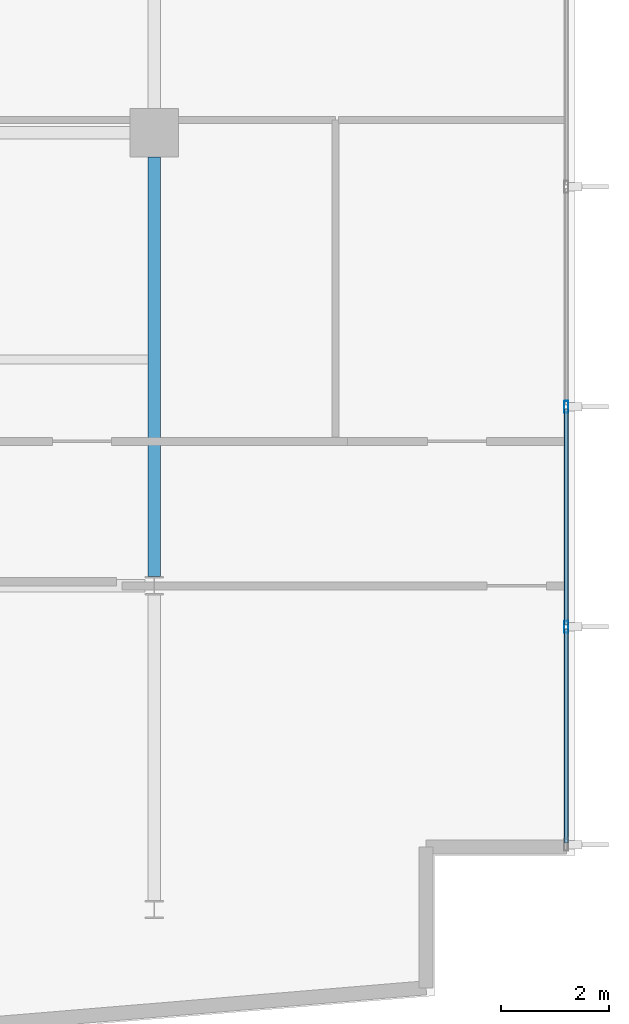
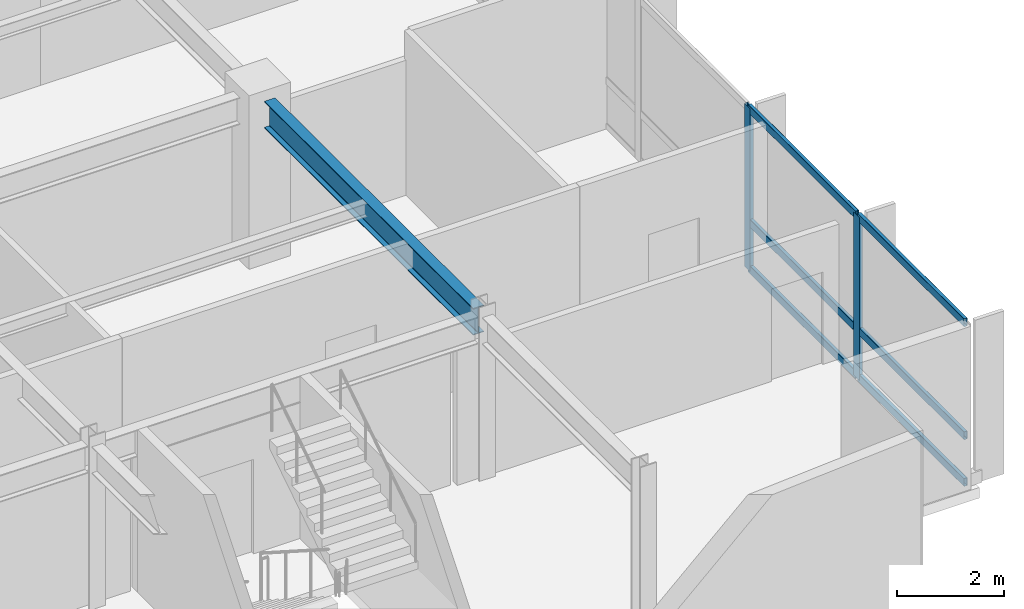
# One storey, part 5 of 20: 8 members, 1 beam, 1 element without a shape of its own.
"""IFC4 building model written with IfcOpenShell, lengths in metres."""

from ifc_helpers import new_model, si_unit, direction, frame, origin, origin_2d, place, context, subcontext, project, spatial, hollow_rectangle, i_section, extrude, material, layer, layer_set, material_profile, profile_set, type_object, element, aggregate, save


model = new_model("IFC4")

# Units and contexts
model_context = context("Model", 3, precision=1e-05, world=origin(), true_north=direction((0.0, 1.0)))
body_context = subcontext(model_context, "Body", "Model", "MODEL_VIEW")
ifc_project = project(units=[si_unit("LENGTHUNIT", "METRE"), si_unit("AREAUNIT", "SQUARE_METRE"), si_unit("VOLUMEUNIT", "CUBIC_METRE"), si_unit("PLANEANGLEUNIT", "RADIAN"), si_unit("MASSUNIT", "GRAM", prefix="KILO")], contexts=[model_context])

# Site, building, storey
site_placement = place(None, origin())
site = spatial("IfcSite", under=ifc_project, at=site_placement, CompositionType="ELEMENT")
building_placement = place(site_placement, origin())
building = spatial("IfcBuilding", under=site, at=building_placement, Name="Varnakote Quay Hospital", CompositionType="ELEMENT")
storey_placement = place(building_placement, frame((0.0, 0.0, 46.199951171875)))
storey = spatial("IfcBuildingStorey", under=building, at=storey_placement, Name="L11", CompositionType="ELEMENT", Elevation=46.199951171875)

# Beam
ifc_material_1 = material(Name="Structural steel AS/NZS 3679.1 Grade 350 L0 (fy 340 MPa)", Category="steel")
ifc_material_profile_1 = material_profile(ifc_material_1, i_section(OverallWidth=0.22900390625, OverallDepth=0.612060546875, WebThickness=0.011962890625, FlangeThickness=0.01953125, FilletRadius=0.013916015625, at=origin_2d()), Name="610UB125")
ifc_profile_set_1 = profile_set([ifc_material_profile_1], Name="Structural steel AS/NZS 3679.1 Grade 350 L0 (fy 340 MPa)")
beam_type = type_object("IfcBeamType", Name="BM-STL-610UB125", PredefinedType="BEAM", material=ifc_profile_set_1)
beam_placement = place(storey_placement, frame((50.39990234375, 12.169921875, 3.404052734375), z_axis=(0.0, 1.0, 0.0), x_axis=(-1.0, 0.0, 0.0)))
element("IfcBeam", 1, at=beam_placement, inside=storey, type_object=beam_type, Name="L11 Primary Tie Beam", PredefinedType="BEAM", context=body_context, shape_type="SweptSolid", body=[
    extrude(i_section(OverallWidth=0.22900390625, OverallDepth=0.612060546875, WebThickness=0.011962890625, FlangeThickness=0.01953125, FilletRadius=0.013916015625, at=origin_2d()), origin(), (0.0, 0.0, 1.0), 7.780029296875),
])

# Curtain wall, members
ifc_material_2 = material(Name="Anodised aluminium 6063-T6 Bronze", Category="aluminium")
ifc_layer = layer(ifc_material_2, 0.18994140625)
ifc_layer_set = layer_set([ifc_layer], Name="Anodised aluminium 6063-T6 Bronze")
curtain_wall_type = type_object("IfcCurtainWallType", Name="CW-SYS-2", PredefinedType="NOTDEFINED", material=ifc_layer_set)
curtain_wall_placement = place(storey_placement, origin())
curtain_wall = element("IfcCurtainWall", 2, at=curtain_wall_placement, inside=storey, type_object=curtain_wall_type, Name="L11 Unitised Bronze Curtain Wall 1", PredefinedType="NOTDEFINED")
ifc_material_3 = material(Name="Anodised aluminium 6063-T6 Bronze", Category="aluminium")
ifc_material_profile_2 = material_profile(ifc_material_3, hollow_rectangle(XDim=0.074951171875, YDim=0.219970703125, WallThickness=0.00439453125, InnerFilletRadius=0.00439453125, OuterFilletRadius=0.009033203125, at=origin_2d()), Name="CW-MULL-220x75")
ifc_profile_set_2 = profile_set([ifc_material_profile_2], Name="Anodised aluminium 6063-T6 Bronze")
member_type_1 = type_object("IfcMemberType", Name="CW-MULL-220x75", PredefinedType="MULLION", material=ifc_profile_set_2)
member_1_placement = place(storey_placement, frame((58.0400390625, 11.239990234375, 0.0), z_axis=(0.0, 0.0, 1.0), x_axis=(-1.0, 0.0, 0.0)))
member_1 = element("IfcMember", 3, at=member_1_placement, type_object=member_type_1, Name="-2-L11-1 mullion 2", PredefinedType="MULLION", context=body_context, shape_type="SweptSolid", body=[
    extrude(hollow_rectangle(XDim=0.074951171875, YDim=0.219970703125, WallThickness=0.00439453125, InnerFilletRadius=0.00439453125, OuterFilletRadius=0.009033203125, at=origin_2d()), origin(), (0.0, 0.0, 1.0), 3.7099609375),
])
member_2_placement = place(storey_placement, frame((58.0400390625, 15.320068359375, 0.0), z_axis=(0.0, 0.0, 1.0), x_axis=(-1.0, 0.0, 0.0)))
member_2 = element("IfcMember", 4, at=member_2_placement, type_object=member_type_1, Name="-2-L11-1 mullion 3", PredefinedType="MULLION", context=body_context, shape_type="SweptSolid", body=[
    extrude(hollow_rectangle(XDim=0.074951171875, YDim=0.219970703125, WallThickness=0.00439453125, InnerFilletRadius=0.00439453125, OuterFilletRadius=0.009033203125, at=origin_2d()), origin(), (0.0, 0.0, 1.0), 3.7099609375),
])
ifc_material_4 = material(Name="Anodised aluminium 6063-T6 Bronze", Category="aluminium")
ifc_material_profile_3 = material_profile(ifc_material_4, hollow_rectangle(XDim=0.074951171875, YDim=0.179931640625, WallThickness=0.004150390625, InnerFilletRadius=0.004150390625, OuterFilletRadius=0.00830078125, at=origin_2d()), Name="CW-TRAN-180x75")
ifc_profile_set_3 = profile_set([ifc_material_profile_3], Name="Anodised aluminium 6063-T6 Bronze")
member_type_2 = type_object("IfcMemberType", Name="CW-TRAN-180x75", PredefinedType="USERDEFINED", material=ifc_profile_set_3)
member_3_placement = place(storey_placement, frame((58.0400390625, 7.235107421875, 0.03759765625), z_axis=(0.0, 1.0, 0.0), x_axis=(-1.0, 0.0, 0.0)))
member_3 = element("IfcMember", 5, at=member_3_placement, type_object=member_type_2, Name="-2-L11-1 transom 1.1", ObjectType="TRANSOM", PredefinedType="USERDEFINED", context=body_context, shape_type="SweptSolid", body=[
    extrude(hollow_rectangle(XDim=0.074951171875, YDim=0.179931640625, WallThickness=0.004150390625, InnerFilletRadius=0.004150390625, OuterFilletRadius=0.00830078125, at=origin_2d()), origin(), (0.0, 0.0, 1.0), 3.96728515625),
])
member_4_placement = place(storey_placement, frame((58.0400390625, 7.235107421875, 1.10009765625), z_axis=(0.0, 1.0, 0.0), x_axis=(-1.0, 0.0, 0.0)))
member_4 = element("IfcMember", 6, at=member_4_placement, type_object=member_type_2, Name="-2-L11-1 transom 1.2", ObjectType="TRANSOM", PredefinedType="USERDEFINED", context=body_context, shape_type="SweptSolid", body=[
    extrude(hollow_rectangle(XDim=0.074951171875, YDim=0.179931640625, WallThickness=0.004150390625, InnerFilletRadius=0.004150390625, OuterFilletRadius=0.00830078125, at=origin_2d()), origin(), (0.0, 0.0, 1.0), 3.96728515625),
])
member_5_placement = place(storey_placement, frame((58.0400390625, 7.235107421875, 3.672607421875), z_axis=(0.0, 1.0, 0.0), x_axis=(-1.0, 0.0, 0.0)))
member_5 = element("IfcMember", 7, at=member_5_placement, type_object=member_type_2, Name="-2-L11-1 transom 1.3", ObjectType="TRANSOM", PredefinedType="USERDEFINED", context=body_context, shape_type="SweptSolid", body=[
    extrude(hollow_rectangle(XDim=0.074951171875, YDim=0.179931640625, WallThickness=0.004150390625, InnerFilletRadius=0.004150390625, OuterFilletRadius=0.00830078125, at=origin_2d()), origin(), (0.0, 0.0, 1.0), 3.96728515625),
])
member_6_placement = place(storey_placement, frame((58.0400390625, 11.277587890625, 0.03759765625), z_axis=(0.0, 1.0, 0.0), x_axis=(-1.0, 0.0, 0.0)))
member_6 = element("IfcMember", 8, at=member_6_placement, type_object=member_type_2, Name="-2-L11-1 transom 2.1", ObjectType="TRANSOM", PredefinedType="USERDEFINED", context=body_context, shape_type="SweptSolid", body=[
    extrude(hollow_rectangle(XDim=0.074951171875, YDim=0.179931640625, WallThickness=0.004150390625, InnerFilletRadius=0.004150390625, OuterFilletRadius=0.00830078125, at=origin_2d()), origin(), (0.0, 0.0, 1.0), 4.0048828125),
])
member_7_placement = place(storey_placement, frame((58.0400390625, 11.277587890625, 1.10009765625), z_axis=(0.0, 1.0, 0.0), x_axis=(-1.0, 0.0, 0.0)))
member_7 = element("IfcMember", 9, at=member_7_placement, type_object=member_type_2, Name="-2-L11-1 transom 2.2", ObjectType="TRANSOM", PredefinedType="USERDEFINED", context=body_context, shape_type="SweptSolid", body=[
    extrude(hollow_rectangle(XDim=0.074951171875, YDim=0.179931640625, WallThickness=0.004150390625, InnerFilletRadius=0.004150390625, OuterFilletRadius=0.00830078125, at=origin_2d()), origin(), (0.0, 0.0, 1.0), 4.0048828125),
])
member_8_placement = place(storey_placement, frame((58.0400390625, 11.277587890625, 3.672607421875), z_axis=(0.0, 1.0, 0.0), x_axis=(-1.0, 0.0, 0.0)))
member_8 = element("IfcMember", 10, at=member_8_placement, type_object=member_type_2, Name="-2-L11-1 transom 2.3", ObjectType="TRANSOM", PredefinedType="USERDEFINED", context=body_context, shape_type="SweptSolid", body=[
    extrude(hollow_rectangle(XDim=0.074951171875, YDim=0.179931640625, WallThickness=0.004150390625, InnerFilletRadius=0.004150390625, OuterFilletRadius=0.00830078125, at=origin_2d()), origin(), (0.0, 0.0, 1.0), 4.0048828125),
])
aggregate(curtain_wall, [member_1, member_2, member_3, member_4, member_5, member_6, member_7, member_8])

save(model, "model.ifc")
